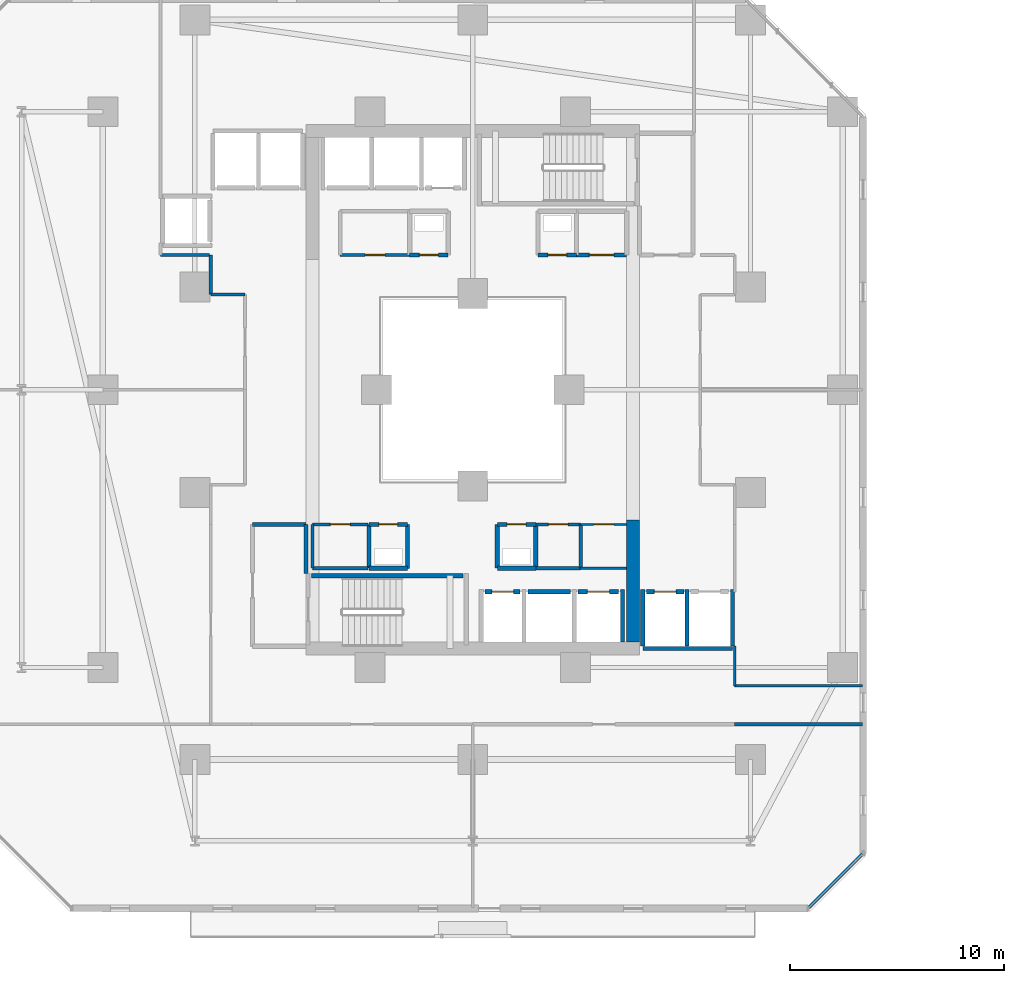
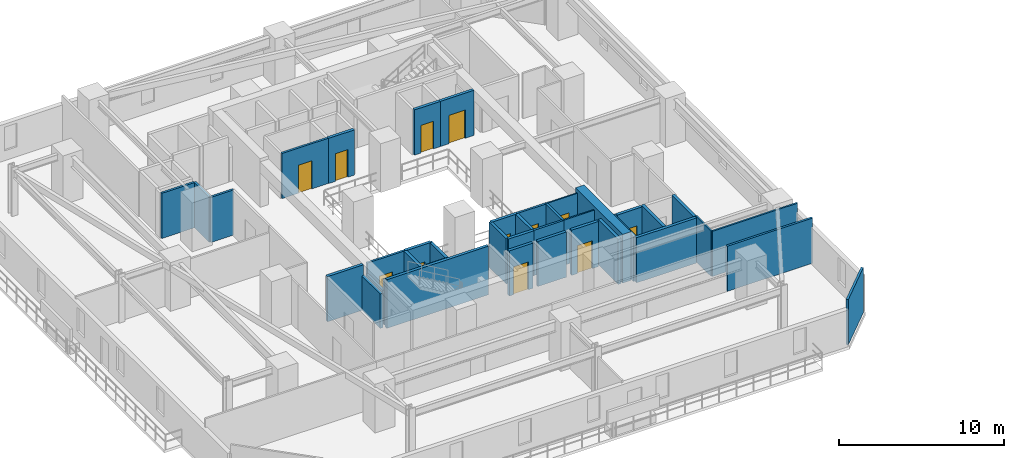
# One storey, part 19 of 33: 40 walls, 12 doors, 12 openings.
"""IFC4 building model written with IfcOpenShell, lengths in metres."""

from ifc_helpers import new_model, si_unit, direction, frame, frame_2d, origin, place, context, subcontext, project, spatial, rectangle, extrude, material, layer, layer_set, type_object, element, fill, save


model = new_model("IFC4")

# Units and contexts
model_context = context("Model", 3, precision=1e-05, world=origin(), true_north=direction((0.0, 1.0)))
body_context = subcontext(model_context, "Body", "Model", "MODEL_VIEW")
ifc_project = project(units=[si_unit("LENGTHUNIT", "METRE"), si_unit("AREAUNIT", "SQUARE_METRE"), si_unit("VOLUMEUNIT", "CUBIC_METRE"), si_unit("PLANEANGLEUNIT", "RADIAN"), si_unit("MASSUNIT", "GRAM", prefix="KILO")], contexts=[model_context])

# Site, building, storey
site_placement = place(None, origin())
site = spatial("IfcSite", under=ifc_project, at=site_placement, CompositionType="ELEMENT")
building_placement = place(site_placement, origin())
building = spatial("IfcBuilding", under=site, at=building_placement, Name="Thornwick Lancets Civic Towers", CompositionType="ELEMENT")
storey_placement = place(building_placement, frame((0.0, 0.0, 35.10009765625)))
storey = spatial("IfcBuildingStorey", under=building, at=storey_placement, Name="L08", CompositionType="ELEMENT", Elevation=35.10009765625)

# Wall, opening, door
ifc_material_1 = material(Name="Concrete blockwork C40/50", Category="masonry")
ifc_layer_1 = layer(ifc_material_1, 0.199951171875, Name="Concrete blockwork C40/50")
ifc_layer_set_1 = layer_set([ifc_layer_1], Name="Concrete blockwork C40/50")
wall_type_1 = type_object("IfcWallType", Name="WALL_COMP_200", PredefinedType="STANDARD", material=ifc_layer_set_1)
wall_1_placement = place(storey_placement, frame((26.080078125, 17.550048828125, 0.0), z_axis=(0.0, 0.0, 1.0), x_axis=(1.0, 0.0, 0.0)))
wall_1 = element("IfcWall", 1, at=wall_1_placement, inside=storey, type_object=wall_type_1, Name="L08 Hoistway Front Wall FL-A1", PredefinedType="STANDARD", context=body_context, shape_type="SweptSolid", body=[
    extrude(rectangle(XDim=1.639892578125, YDim=0.199951171875, at=frame_2d((0.81982421875, 0.0))), origin(), (0.0, 0.0, 1.0), 3.33984375),
])
opening_1_placement = place(wall_1_placement, frame((0.31005859375, 0.0, 0.0)))
opening_1 = element("IfcOpeningElement", 2, at=opening_1_placement, cuts=wall_1, Name="Opening LD-FL-A1", PredefinedType="OPENING", context=body_context, shape_type="SweptSolid", body=[
    extrude(rectangle(XDim=1.02001953125, YDim=2.06005859375, at=frame_2d((0.510009765625, 1.030029296875))), frame((0.0, 0.10986328125, 0.0), z_axis=(0.0, -1.0, 0.0), x_axis=(1.0, 0.0, 0.0)), (0.0, 0.0, 1.0), 0.219970703125),
])
ifc_material_2 = material(Name="Brushed bronze stainless steel", Category="steel")
door_type_1 = type_object("IfcDoorType", Name="DOOR_LIFT_SLIDE", OperationType="SLIDING_TO_LEFT", PredefinedType="DOOR", material=ifc_material_2)
door_1_placement = place(opening_1_placement, origin())
door_1 = element("IfcDoor", 3, at=door_1_placement, inside=storey, type_object=door_type_1, Name="L08 Sliding Lift Landing Door LD-FL-A1", OperationType="SLIDING_TO_LEFT", OverallHeight=2.06005859375, OverallWidth=1.02001953125, PredefinedType="DOOR", context=body_context, shape_type="SweptSolid", body=[
    extrude(rectangle(XDim=1.02001953125, YDim=2.06005859375, at=frame_2d((0.510009765625, 1.030029296875))), frame((0.0, 0.02490234375, 0.0), z_axis=(0.0, -1.0, 0.0), x_axis=(1.0, 0.0, 0.0)), (0.0, 0.0, 1.0), 0.050048828125),
])
fill(opening_1, door_1)

# Wall
wall_2_placement = place(storey_placement, frame((28.080078125, 17.550048828125, 0.0), z_axis=(0.0, 0.0, 1.0), x_axis=(1.0, 0.0, 0.0)))
element("IfcWall", 4, at=wall_2_placement, inside=storey, type_object=wall_type_1, Name="L08 Hoistway Front Wall PL-AH1", PredefinedType="STANDARD", context=body_context, shape_type="SweptSolid", body=[
    extrude(rectangle(XDim=1.989990234375, YDim=0.199951171875, at=frame_2d((0.9951171875, 0.0))), origin(), (0.0, 0.0, 1.0), 3.33984375),
])

# Wall, opening, door
wall_3_placement = place(storey_placement, frame((30.429931640625, 17.550048828125, 0.0), z_axis=(0.0, 0.0, 1.0), x_axis=(1.0, 0.0, 0.0)))
wall_3 = element("IfcWall", 5, at=wall_3_placement, inside=storey, type_object=wall_type_1, Name="L08 Hoistway Front Wall PL-AL1", PredefinedType="STANDARD", context=body_context, shape_type="SweptSolid", body=[
    extrude(rectangle(XDim=1.89013671875, YDim=0.199951171875, at=frame_2d((0.945068359375, 0.0))), origin(), (0.0, 0.0, 1.0), 3.33984375),
])
opening_2_placement = place(wall_3_placement, frame((0.43505859375, 0.0, 0.0)))
opening_2 = element("IfcOpeningElement", 6, at=opening_2_placement, cuts=wall_3, Name="Opening LD-PL-AL1", PredefinedType="OPENING", context=body_context, shape_type="SweptSolid", body=[
    extrude(rectangle(XDim=1.02001953125, YDim=2.06005859375, at=frame_2d((0.510009765625, 1.030029296875))), frame((0.0, 0.10986328125, 0.0), z_axis=(0.0, -1.0, 0.0), x_axis=(1.0, 0.0, 0.0)), (0.0, 0.0, 1.0), 0.219970703125),
])
door_2_placement = place(opening_2_placement, origin())
door_2 = element("IfcDoor", 7, at=door_2_placement, inside=storey, type_object=door_type_1, Name="L08 Sliding Lift Landing Door LD-PL-AL1", OperationType="SLIDING_TO_LEFT", OverallHeight=2.06005859375, OverallWidth=1.02001953125, PredefinedType="DOOR", context=body_context, shape_type="SweptSolid", body=[
    extrude(rectangle(XDim=1.02001953125, YDim=2.06005859375, at=frame_2d((0.510009765625, 1.030029296875))), frame((0.0, 0.02490234375, 0.0), z_axis=(0.0, -1.0, 0.0), x_axis=(1.0, 0.0, 0.0)), (0.0, 0.0, 1.0), 0.050048828125),
])
fill(opening_2, door_2)

wall_4_placement = place(storey_placement, frame((33.6298828125, 17.550048828125, 0.0), z_axis=(0.0, 0.0, 1.0), x_axis=(1.0, 0.0, 0.0)))
wall_4 = element("IfcWall", 8, at=wall_4_placement, inside=storey, type_object=wall_type_1, Name="L08 Hoistway Front Wall PL-AL2", PredefinedType="STANDARD", context=body_context, shape_type="SweptSolid", body=[
    extrude(rectangle(XDim=1.740234375, YDim=0.199951171875, at=frame_2d((0.8701171875, 0.0))), origin(), (0.0, 0.0, 1.0), 3.33984375),
])
opening_3_placement = place(wall_4_placement, frame((0.360107421875, 0.0, 0.0)))
opening_3 = element("IfcOpeningElement", 9, at=opening_3_placement, cuts=wall_4, Name="Opening LD-PL-AL2", PredefinedType="OPENING", context=body_context, shape_type="SweptSolid", body=[
    extrude(rectangle(XDim=1.02001953125, YDim=2.06005859375, at=frame_2d((0.510009765625, 1.030029296875))), frame((0.0, 0.10986328125, 0.0), z_axis=(0.0, -1.0, 0.0), x_axis=(1.0, 0.0, 0.0)), (0.0, 0.0, 1.0), 0.219970703125),
])
door_3_placement = place(opening_3_placement, origin())
door_3 = element("IfcDoor", 10, at=door_3_placement, inside=storey, type_object=door_type_1, Name="L08 Sliding Lift Landing Door LD-PL-AL2", OperationType="SLIDING_TO_LEFT", OverallHeight=2.06005859375, OverallWidth=1.02001953125, PredefinedType="DOOR", context=body_context, shape_type="SweptSolid", body=[
    extrude(rectangle(XDim=1.02001953125, YDim=2.06005859375, at=frame_2d((0.510009765625, 1.030029296875))), frame((0.0, 0.02490234375, 0.0), z_axis=(0.0, -1.0, 0.0), x_axis=(1.0, 0.0, 0.0)), (0.0, 0.0, 1.0), 0.050048828125),
])
fill(opening_3, door_3)

# Walls
wall_5_placement = place(storey_placement, frame((32.5, 15.2119140625, 0.0), z_axis=(0.0, 0.0, 1.0), x_axis=(0.0, 1.0, 0.0)))
element("IfcWall", 11, at=wall_5_placement, inside=storey, type_object=wall_type_1, Name="L08 Hoistway Shaft Wall PL-AL1 E", PredefinedType="STANDARD", context=body_context, shape_type="SweptSolid", body=[
    extrude(rectangle(XDim=2.43603515625, YDim=0.199951171875, at=frame_2d((1.218017578125, 0.0))), origin(), (0.0, 0.0, 1.0), 3.33984375),
])
wall_6_placement = place(storey_placement, frame((33.451904296875, 14.89990234375, 0.0), z_axis=(0.0, 0.0, 1.0), x_axis=(1.0, 0.0, 0.0)))
element("IfcWall", 12, at=wall_6_placement, inside=storey, type_object=wall_type_1, Name="L08 Hoistway Shaft Wall PL-AL2 S", PredefinedType="STANDARD", context=body_context, shape_type="SweptSolid", body=[
    extrude(rectangle(XDim=4.196044921875, YDim=0.199951171875, at=frame_2d((2.09814453125, 0.0))), origin(), (0.0, 0.0, 1.0), 3.33984375),
])
for number, where, z_axis, x_axis, name in (
    (13, (35.52490234375, 15.011962890625, 0.0), (0.0, 0.0, 1.0), (0.0, 1.0, 0.0), "L08 Hoistway Shaft Wall PL-AL2 E"),
    (14, (33.449951171875, 15.011962890625, 0.0), (0.0, 0.0, 1.0), (0.0, 1.0, 0.0), "L08 Hoistway Shaft Wall PL-AL2 W"),
    (15, (37.64990234375, 15.011962890625, 0.0), (0.0, 0.0, 1.0), (0.0, 1.0, 0.0), "L08 Hoistway Shaft Wall PL-AL3 E"),
):
    element("IfcWall", number, at=place(storey_placement, frame(where, z_axis=z_axis, x_axis=x_axis)), inside=storey, type_object=wall_type_1, Name=name, PredefinedType="STANDARD", context=body_context, shape_type="SweptSolid", body=[
        extrude(rectangle(XDim=2.635986328125, YDim=0.199951171875, at=frame_2d((1.31787109375, 0.0))), origin(), (0.0, 0.0, 1.0), 3.33984375),
    ])
wall_7_placement = place(storey_placement, frame((17.699951171875, 18.39990234375, 0.0), z_axis=(0.0, 0.0, 1.0), x_axis=(0.0, 1.0, 0.0)))
element("IfcWall", 16, at=wall_7_placement, inside=storey, type_object=wall_type_1, Name="L08 Partition L08-A-FFLOB1 E2", PredefinedType="STANDARD", context=body_context, shape_type="SweptSolid", body=[
    extrude(rectangle(XDim=2.300048828125, YDim=0.199951171875, at=frame_2d((1.14990234375, 0.0))), origin(), (0.0, 0.0, 1.0), 2.544921875),
])
wall_8_placement = place(storey_placement, frame((17.699951171875, 20.699951171875, 0.0), z_axis=(0.0, 0.0, 1.0), x_axis=(-1.0, 0.0, 0.0)))
element("IfcWall", 17, at=wall_8_placement, inside=storey, type_object=wall_type_1, Name="L08 Partition L08-A-FFLOB1 E3", PredefinedType="STANDARD", context=body_context, shape_type="SweptSolid", body=[
    extrude(rectangle(XDim=2.5, YDim=0.199951171875, at=frame_2d((1.25, 0.0))), origin(), (0.0, 0.0, 1.0), 3.33984375),
])
wall_9_placement = place(storey_placement, frame((26.64990234375, 18.64990234375, 0.0), z_axis=(0.0, 0.0, 1.0), x_axis=(1.0, 0.0, 0.0)))
element("IfcWall", 18, at=wall_9_placement, inside=storey, type_object=wall_type_1, Name="L08 Partition L08-A-DUCT1 E1", PredefinedType="STANDARD", context=body_context, shape_type="SweptSolid", body=[
    extrude(rectangle(XDim=1.800048828125, YDim=0.199951171875, at=frame_2d((0.89990234375, 0.0))), origin(), (0.0, 0.0, 1.0), 3.33984375),
])
wall_10_placement = place(storey_placement, frame((28.449951171875, 18.64990234375, 0.0), z_axis=(0.0, 0.0, 1.0), x_axis=(0.0, 1.0, 0.0)))
element("IfcWall", 19, at=wall_10_placement, inside=storey, type_object=wall_type_1, Name="L08 Partition L08-A-DUCT1 E2", PredefinedType="STANDARD", context=body_context, shape_type="SweptSolid", body=[
    extrude(rectangle(XDim=2.050048828125, YDim=0.199951171875, at=frame_2d((1.02490234375, 0.0))), origin(), (0.0, 0.0, 1.0), 3.33984375),
])

# Wall, opening, door
wall_11_placement = place(storey_placement, frame((28.449951171875, 20.699951171875, 0.0), z_axis=(0.0, 0.0, 1.0), x_axis=(-1.0, 0.0, 0.0)))
wall_11 = element("IfcWall", 20, at=wall_11_placement, inside=storey, type_object=wall_type_1, Name="L08 Partition L08-A-DUCT1 E3", PredefinedType="STANDARD", context=body_context, shape_type="SweptSolid", body=[
    extrude(rectangle(XDim=1.800048828125, YDim=0.199951171875, at=frame_2d((0.89990234375, 0.0))), origin(), (0.0, 0.0, 1.0), 3.33984375),
])
opening_4_placement = place(wall_11_placement, frame((0.4599609375, 0.0, 0.0)))
opening_4 = element("IfcOpeningElement", 21, at=opening_4_placement, cuts=wall_11, Name="Opening D-L08-0403", PredefinedType="OPENING", context=body_context, shape_type="SweptSolid", body=[
    extrude(rectangle(XDim=0.8798828125, YDim=2.0400390625, at=frame_2d((0.43994140625, 1.02001953125))), frame((0.0, 0.10986328125, 0.0), z_axis=(0.0, -1.0, 0.0), x_axis=(1.0, 0.0, 0.0)), (0.0, 0.0, 1.0), 0.219970703125),
])
ifc_material_3 = material(Name="Steel riser access doorset", Category="steel")
door_type_2 = type_object("IfcDoorType", Name="DOOR_RISER_850", OperationType="NOTDEFINED", PredefinedType="DOOR", material=ifc_material_3)
door_4_placement = place(opening_4_placement, origin())
door_4 = element("IfcDoor", 22, at=door_4_placement, inside=storey, type_object=door_type_2, Name="L08 South Service Duct 1 Door", OperationType="SINGLE_SWING_RIGHT", OverallHeight=2.0400390625, OverallWidth=0.8798828125, PredefinedType="DOOR", context=body_context, shape_type="SweptSolid", body=[
    extrude(rectangle(XDim=0.8798828125, YDim=2.0400390625, at=frame_2d((0.43994140625, 1.02001953125))), frame((0.0, 0.02490234375, 0.0), z_axis=(0.0, -1.0, 0.0), x_axis=(1.0, 0.0, 0.0)), (0.0, 0.0, 1.0), 0.050048828125),
])
fill(opening_4, door_4)

# Walls
wall_12_placement = place(storey_placement, frame((26.64990234375, 20.699951171875, 0.0), z_axis=(0.0, 0.0, 1.0), x_axis=(0.0, -1.0, 0.0)))
element("IfcWall", 23, at=wall_12_placement, inside=storey, type_object=wall_type_1, Name="L08 Partition L08-A-DUCT1 E4", PredefinedType="STANDARD", context=body_context, shape_type="SweptSolid", body=[
    extrude(rectangle(XDim=2.050048828125, YDim=0.199951171875, at=frame_2d((1.02490234375, 0.0))), origin(), (0.0, 0.0, 1.0), 3.33984375),
])
wall_13_placement = place(storey_placement, frame((20.64990234375, 18.64990234375, 0.0), z_axis=(0.0, 0.0, 1.0), x_axis=(1.0, 0.0, 0.0)))
element("IfcWall", 24, at=wall_13_placement, inside=storey, type_object=wall_type_1, Name="L08 Partition L08-A-RISER1 E1", PredefinedType="STANDARD", context=body_context, shape_type="SweptSolid", body=[
    extrude(rectangle(XDim=1.800048828125, YDim=0.199951171875, at=frame_2d((0.89990234375, 0.0))), origin(), (0.0, 0.0, 1.0), 3.33984375),
])
wall_14_placement = place(storey_placement, frame((22.449951171875, 18.64990234375, 0.0), z_axis=(0.0, 0.0, 1.0), x_axis=(0.0, 1.0, 0.0)))
element("IfcWall", 25, at=wall_14_placement, inside=storey, type_object=wall_type_1, Name="L08 Partition L08-A-RISER1 E2", PredefinedType="STANDARD", context=body_context, shape_type="SweptSolid", body=[
    extrude(rectangle(XDim=2.050048828125, YDim=0.199951171875, at=frame_2d((1.02490234375, 0.0))), origin(), (0.0, 0.0, 1.0), 3.33984375),
])

# Wall, opening, door
wall_15_placement = place(storey_placement, frame((22.449951171875, 20.699951171875, 0.0), z_axis=(0.0, 0.0, 1.0), x_axis=(-1.0, 0.0, 0.0)))
wall_15 = element("IfcWall", 26, at=wall_15_placement, inside=storey, type_object=wall_type_1, Name="L08 Partition L08-A-RISER1 E3", PredefinedType="STANDARD", context=body_context, shape_type="SweptSolid", body=[
    extrude(rectangle(XDim=1.800048828125, YDim=0.199951171875, at=frame_2d((0.89990234375, 0.0))), origin(), (0.0, 0.0, 1.0), 3.33984375),
])
opening_5_placement = place(wall_15_placement, frame((0.4599609375, 0.0, 0.0)))
opening_5 = element("IfcOpeningElement", 27, at=opening_5_placement, cuts=wall_15, Name="Opening D-L08-0404", PredefinedType="OPENING", context=body_context, shape_type="SweptSolid", body=[
    extrude(rectangle(XDim=0.8798828125, YDim=2.0400390625, at=frame_2d((0.43994140625, 1.02001953125))), frame((0.0, 0.10986328125, 0.0), z_axis=(0.0, -1.0, 0.0), x_axis=(1.0, 0.0, 0.0)), (0.0, 0.0, 1.0), 0.219970703125),
])
door_5_placement = place(opening_5_placement, origin())
door_5 = element("IfcDoor", 28, at=door_5_placement, inside=storey, type_object=door_type_2, Name="L08 South Electrical Riser 1 Door", OperationType="SINGLE_SWING_LEFT", OverallHeight=2.0400390625, OverallWidth=0.8798828125, PredefinedType="DOOR", context=body_context, shape_type="SweptSolid", body=[
    extrude(rectangle(XDim=0.8798828125, YDim=2.0400390625, at=frame_2d((0.43994140625, 1.02001953125))), frame((0.0, 0.02490234375, 0.0), z_axis=(0.0, -1.0, 0.0), x_axis=(1.0, 0.0, 0.0)), (0.0, 0.0, 1.0), 0.050048828125),
])
fill(opening_5, door_5)

# Wall
wall_16_placement = place(storey_placement, frame((20.64990234375, 20.699951171875, 0.0), z_axis=(0.0, 0.0, 1.0), x_axis=(0.0, -1.0, 0.0)))
element("IfcWall", 29, at=wall_16_placement, inside=storey, type_object=wall_type_1, Name="L08 Partition L08-A-RISER1 E4", PredefinedType="STANDARD", context=body_context, shape_type="SweptSolid", body=[
    extrude(rectangle(XDim=2.050048828125, YDim=0.199951171875, at=frame_2d((1.02490234375, 0.0))), origin(), (0.0, 0.0, 1.0), 3.33984375),
])

# Wall, opening, door
wall_17_placement = place(storey_placement, frame((22.550048828125, 33.300048828125, 0.0), z_axis=(0.0, 0.0, 1.0), x_axis=(1.0, 0.0, 0.0)))
wall_17 = element("IfcWall", 30, at=wall_17_placement, inside=storey, type_object=wall_type_1, Name="L08 Partition L08-A-DUCT2 E1", PredefinedType="STANDARD", context=body_context, shape_type="SweptSolid", body=[
    extrude(rectangle(XDim=1.800048828125, YDim=0.199951171875, at=frame_2d((0.89990234375, 0.0))), origin(), (0.0, 0.0, 1.0), 3.33984375),
])
opening_6_placement = place(wall_17_placement, frame((0.4599609375, 0.0, 0.0)))
opening_6 = element("IfcOpeningElement", 31, at=opening_6_placement, cuts=wall_17, Name="Opening D-L08-0405", PredefinedType="OPENING", context=body_context, shape_type="SweptSolid", body=[
    extrude(rectangle(XDim=0.8798828125, YDim=2.0400390625, at=frame_2d((0.43994140625, 1.02001953125))), frame((0.0, 0.10986328125, 0.0), z_axis=(0.0, -1.0, 0.0), x_axis=(1.0, 0.0, 0.0)), (0.0, 0.0, 1.0), 0.219970703125),
])
door_6_placement = place(opening_6_placement, origin())
door_6 = element("IfcDoor", 32, at=door_6_placement, inside=storey, type_object=door_type_2, Name="L08 North Service Duct 2 Door", OperationType="SINGLE_SWING_RIGHT", OverallHeight=2.0400390625, OverallWidth=0.8798828125, PredefinedType="DOOR", context=body_context, shape_type="SweptSolid", body=[
    extrude(rectangle(XDim=0.8798828125, YDim=2.0400390625, at=frame_2d((0.43994140625, 1.02001953125))), frame((0.0, 0.02490234375, 0.0), z_axis=(0.0, -1.0, 0.0), x_axis=(1.0, 0.0, 0.0)), (0.0, 0.0, 1.0), 0.050048828125),
])
fill(opening_6, door_6)

wall_18_placement = place(storey_placement, frame((28.550048828125, 33.300048828125, 0.0), z_axis=(0.0, 0.0, 1.0), x_axis=(1.0, 0.0, 0.0)))
wall_18 = element("IfcWall", 33, at=wall_18_placement, inside=storey, type_object=wall_type_1, Name="L08 Partition L08-A-RISER2 E1", PredefinedType="STANDARD", context=body_context, shape_type="SweptSolid", body=[
    extrude(rectangle(XDim=1.800048828125, YDim=0.199951171875, at=frame_2d((0.89990234375, 0.0))), origin(), (0.0, 0.0, 1.0), 3.33984375),
])
opening_7_placement = place(wall_18_placement, frame((0.4599609375, 0.0, 0.0)))
opening_7 = element("IfcOpeningElement", 34, at=opening_7_placement, cuts=wall_18, Name="Opening D-L08-0406", PredefinedType="OPENING", context=body_context, shape_type="SweptSolid", body=[
    extrude(rectangle(XDim=0.8798828125, YDim=2.0400390625, at=frame_2d((0.43994140625, 1.02001953125))), frame((0.0, 0.10986328125, 0.0), z_axis=(0.0, -1.0, 0.0), x_axis=(1.0, 0.0, 0.0)), (0.0, 0.0, 1.0), 0.219970703125),
])
door_7_placement = place(opening_7_placement, origin())
door_7 = element("IfcDoor", 35, at=door_7_placement, inside=storey, type_object=door_type_2, Name="L08 North Service Riser 2 Door", OperationType="SINGLE_SWING_LEFT", OverallHeight=2.0400390625, OverallWidth=0.8798828125, PredefinedType="DOOR", context=body_context, shape_type="SweptSolid", body=[
    extrude(rectangle(XDim=0.8798828125, YDim=2.0400390625, at=frame_2d((0.43994140625, 1.02001953125))), frame((0.0, 0.02490234375, 0.0), z_axis=(0.0, -1.0, 0.0), x_axis=(1.0, 0.0, 0.0)), (0.0, 0.0, 1.0), 0.050048828125),
])
fill(opening_7, door_7)

wall_19_placement = place(storey_placement, frame((32.699951171875, 33.300048828125, 0.0), z_axis=(0.0, 0.0, 1.0), x_axis=(-1.0, 0.0, 0.0)))
wall_19 = element("IfcWall", 36, at=wall_19_placement, inside=storey, type_object=wall_type_1, Name="L08 Partition L08-A-STR E2", PredefinedType="STANDARD", context=body_context, shape_type="SweptSolid", body=[
    extrude(rectangle(XDim=2.349853515625, YDim=0.199951171875, at=frame_2d((1.1748046875, 0.0))), origin(), (0.0, 0.0, 1.0), 3.33984375),
])
opening_8_placement = place(wall_19_placement, frame((0.60009765625, 0.0, 0.0)))
opening_8 = element("IfcOpeningElement", 37, at=opening_8_placement, cuts=wall_19, Name="Opening D-L08-0411", PredefinedType="OPENING", context=body_context, shape_type="SweptSolid", body=[
    extrude(rectangle(XDim=1.14990234375, YDim=2.10009765625, at=frame_2d((0.574951171875, 1.050048828125))), frame((0.0, 0.10986328125, 0.0), z_axis=(0.0, -1.0, 0.0), x_axis=(1.0, 0.0, 0.0)), (0.0, 0.0, 1.0), 0.219970703125),
])
ifc_material_4 = material(Name="Glazed fire-resisting steel", Category="steel")
door_type_3 = type_object("IfcDoorType", Name="DOOR_LOBBY_FD60", OperationType="NOTDEFINED", PredefinedType="DOOR", material=ifc_material_4)
door_8_placement = place(opening_8_placement, origin())
door_8 = element("IfcDoor", 38, at=door_8_placement, inside=storey, type_object=door_type_3, Name="L08 Tower A Core Equipment Store Door", OperationType="SINGLE_SWING_RIGHT", OverallHeight=2.10009765625, OverallWidth=1.14990234375, PredefinedType="DOOR", context=body_context, shape_type="SweptSolid", body=[
    extrude(rectangle(XDim=1.14990234375, YDim=2.10009765625, at=frame_2d((0.574951171875, 1.050048828125))), frame((0.0, 0.02490234375, 0.0), z_axis=(0.0, -1.0, 0.0), x_axis=(1.0, 0.0, 0.0)), (0.0, 0.0, 1.0), 0.050048828125),
])
fill(opening_8, door_8)

# Walls
ifc_material_5 = material(Name="Concrete C60/75", Category="concrete")
ifc_layer_2 = layer(ifc_material_5, 0.60009765625, Name="Concrete C60/75")
ifc_layer_set_2 = layer_set([ifc_layer_2], Name="Concrete C60/75")
wall_type_2 = type_object("IfcWallType", Name="WALL_CORE_600", PredefinedType="SHEAR", material=ifc_layer_set_2)
wall_20_placement = place(storey_placement, frame((33.0, 15.199951171875, 0.0), z_axis=(0.0, 0.0, 1.0), x_axis=(0.0, 1.0, 0.0)))
element("IfcWall", 39, at=wall_20_placement, inside=storey, type_object=wall_type_2, Name="L08 Split Core A1 Shear Wall E", PredefinedType="SHEAR", context=body_context, shape_type="SweptSolid", body=[
    extrude(rectangle(XDim=5.699951171875, YDim=0.60009765625, at=frame_2d((2.85009765625, 0.0))), origin(), (0.0, 0.0, 1.0), 3.599853515625),
])
ifc_material_6 = material(Name="Lightweight cellular office partition")
ifc_layer_3 = layer(ifc_material_6, 0.10009765625, Name="Lightweight cellular office partition")
ifc_layer_set_3 = layer_set([ifc_layer_3], Name="Lightweight cellular office partition")
wall_type_3 = type_object("IfcWallType", Name="WALL_PART_100", PredefinedType="PARTITIONING", material=ifc_layer_set_3)
wall_21_placement = place(storey_placement, frame((32.699951171875, 18.64990234375, 0.0), z_axis=(0.0, 0.0, 1.0), x_axis=(-1.0, 0.0, 0.0)))
element("IfcWall", 40, at=wall_21_placement, inside=storey, type_object=wall_type_3, Name="L08 Partition L08-A-CLN E2", PredefinedType="PARTITIONING", context=body_context, shape_type="SweptSolid", body=[
    extrude(rectangle(XDim=2.14990234375, YDim=0.10009765625, at=frame_2d((1.074951171875, 0.0))), origin(), (0.0, 0.0, 1.0), 3.33984375),
])

# Wall, opening, door
wall_22_placement = place(storey_placement, frame((30.550048828125, 20.699951171875, 0.0), z_axis=(0.0, 0.0, 1.0), x_axis=(1.0, 0.0, 0.0)))
wall_22 = element("IfcWall", 41, at=wall_22_placement, inside=storey, type_object=wall_type_3, Name="L08 Partition L08-A-CLN E4", PredefinedType="PARTITIONING", context=body_context, shape_type="SweptSolid", body=[
    extrude(rectangle(XDim=2.14990234375, YDim=0.10009765625, at=frame_2d((1.074951171875, 0.0))), origin(), (0.0, 0.0, 1.0), 3.33984375),
])
opening_9_placement = place(wall_22_placement, frame((0.60009765625, 0.0, 0.0)))
opening_9 = element("IfcOpeningElement", 42, at=opening_9_placement, cuts=wall_22, Name="Opening D-L08-0409", PredefinedType="OPENING", context=body_context, shape_type="SweptSolid", body=[
    extrude(rectangle(XDim=0.949951171875, YDim=2.10009765625, at=frame_2d((0.47509765625, 1.050048828125))), frame((0.0, 0.06005859375, 0.0), z_axis=(0.0, -1.0, 0.0), x_axis=(1.0, 0.0, 0.0)), (0.0, 0.0, 1.0), 0.1201171875),
])
ifc_material_7 = material(Name="European oak acoustic doorset")
door_type_4 = type_object("IfcDoorType", Name="DOOR_OFFICE_950", OperationType="NOTDEFINED", PredefinedType="DOOR", material=ifc_material_7)
door_9_placement = place(opening_9_placement, origin())
door_9 = element("IfcDoor", 43, at=door_9_placement, inside=storey, type_object=door_type_4, Name="L08 Tower A Cleaners Store Door", OperationType="SINGLE_SWING_RIGHT", OverallHeight=2.10009765625, OverallWidth=0.949951171875, PredefinedType="DOOR", context=body_context, shape_type="SweptSolid", body=[
    extrude(rectangle(XDim=0.949951171875, YDim=2.10009765625, at=frame_2d((0.47509765625, 1.050048828125))), frame((0.0, 0.02490234375, 0.0), z_axis=(0.0, -1.0, 0.0), x_axis=(1.0, 0.0, 0.0)), (0.0, 0.0, 1.0), 0.050048828125),
])
fill(opening_9, door_9)

# Walls
ifc_material_8 = material(Name="Acoustic gypsum board partition")
ifc_layer_4 = layer(ifc_material_8, 0.1201171875, Name="Acoustic gypsum board partition")
ifc_layer_set_4 = layer_set([ifc_layer_4], Name="Acoustic gypsum board partition")
wall_type_4 = type_object("IfcWallType", Name="WALL_PART_120", PredefinedType="PARTITIONING", material=ifc_layer_set_4)
wall_23_placement = place(storey_placement, frame((43.719970703125, 13.14990234375, 0.0), z_axis=(0.0, 0.0, 1.0), x_axis=(-1.0, 0.0, 0.0)))
element("IfcWall", 44, at=wall_23_placement, inside=storey, type_object=wall_type_4, Name="L08 Partition L08-A-E1 E7", PredefinedType="PARTITIONING", context=body_context, shape_type="SweptSolid", body=[
    extrude(rectangle(XDim=5.969970703125, YDim=0.1201171875, at=frame_2d((2.98486328125, 0.0))), origin(), (0.0, 0.0, 1.0), 3.33984375),
])
wall_24_placement = place(storey_placement, frame((37.75, 13.14990234375, 0.0), z_axis=(0.0, 0.0, 1.0), x_axis=(0.0, 1.0, 0.0)))
element("IfcWall", 45, at=wall_24_placement, inside=storey, type_object=wall_type_4, Name="L08 Partition L08-A-E1 E8", PredefinedType="PARTITIONING", context=body_context, shape_type="SweptSolid", body=[
    extrude(rectangle(XDim=1.862060546875, YDim=0.1201171875, at=frame_2d((0.93115234375, 0.0))), origin(), (0.0, 0.0, 1.0), 3.33984375),
])
ifc_material_9 = material(Name="Twin-stud acoustic gypsum board")
ifc_layer_5 = layer(ifc_material_9, 0.14990234375, Name="Twin-stud acoustic gypsum board")
ifc_layer_set_5 = layer_set([ifc_layer_5], Name="Twin-stud acoustic gypsum board")
wall_type_5 = type_object("IfcWallType", Name="WALL_PART_150", PredefinedType="PARTITIONING", material=ifc_layer_set_5)
wall_25_placement = place(storey_placement, frame((18.0, 18.64990234375, 0.0), z_axis=(0.0, 0.0, 1.0), x_axis=(1.0, 0.0, 0.0)))
element("IfcWall", 46, at=wall_25_placement, inside=storey, type_object=wall_type_5, Name="L08 Partition L08-A-AWC E1", PredefinedType="PARTITIONING", context=body_context, shape_type="SweptSolid", body=[
    extrude(rectangle(XDim=2.60009765625, YDim=0.14990234375, at=frame_2d((1.300048828125, 0.0))), origin(), (0.0, 0.0, 1.0), 3.33984375),
])

# Wall, opening, door
wall_26_placement = place(storey_placement, frame((20.60009765625, 20.699951171875, 0.0), z_axis=(0.0, 0.0, 1.0), x_axis=(-1.0, 0.0, 0.0)))
wall_26 = element("IfcWall", 47, at=wall_26_placement, inside=storey, type_object=wall_type_5, Name="L08 Partition L08-A-AWC E3", PredefinedType="PARTITIONING", context=body_context, shape_type="SweptSolid", body=[
    extrude(rectangle(XDim=2.60009765625, YDim=0.14990234375, at=frame_2d((1.300048828125, 0.0))), origin(), (0.0, 0.0, 1.0), 3.33984375),
])
opening_10_placement = place(wall_26_placement, frame((0.840087890625, 0.0, 0.0)))
opening_10 = element("IfcOpeningElement", 48, at=opening_10_placement, cuts=wall_26, Name="Opening D-L08-0407", PredefinedType="OPENING", context=body_context, shape_type="SweptSolid", body=[
    extrude(rectangle(XDim=0.919921875, YDim=2.080078125, at=frame_2d((0.4599609375, 1.0400390625))), frame((0.0, 0.0849609375, 0.0), z_axis=(0.0, -1.0, 0.0), x_axis=(1.0, 0.0, 0.0)), (0.0, 0.0, 1.0), 0.169921875),
])
ifc_material_10 = material(Name="Moisture-resistant oak doorset")
door_type_5 = type_object("IfcDoorType", Name="DOOR_WC_900", OperationType="NOTDEFINED", PredefinedType="DOOR", material=ifc_material_10)
door_10_placement = place(opening_10_placement, origin())
door_10 = element("IfcDoor", 49, at=door_10_placement, inside=storey, type_object=door_type_5, Name="L08 Tower A Accessible WC Door", OperationType="SINGLE_SWING_RIGHT", OverallHeight=2.080078125, OverallWidth=0.919921875, PredefinedType="DOOR", context=body_context, shape_type="SweptSolid", body=[
    extrude(rectangle(XDim=0.919921875, YDim=2.080078125, at=frame_2d((0.4599609375, 1.0400390625))), frame((0.0, 0.02490234375, 0.0), z_axis=(0.0, -1.0, 0.0), x_axis=(1.0, 0.0, 0.0)), (0.0, 0.0, 1.0), 0.050048828125),
])
fill(opening_10, door_10)

# Walls
wall_27_placement = place(storey_placement, frame((18.0, 20.699951171875, 0.0), z_axis=(0.0, 0.0, 1.0), x_axis=(0.0, -1.0, 0.0)))
element("IfcWall", 50, at=wall_27_placement, inside=storey, type_object=wall_type_5, Name="L08 Partition L08-A-AWC E4", PredefinedType="PARTITIONING", context=body_context, shape_type="SweptSolid", body=[
    extrude(rectangle(XDim=2.050048828125, YDim=0.14990234375, at=frame_2d((1.02490234375, 0.0))), origin(), (0.0, 0.0, 1.0), 2.544921875),
])
wall_28_placement = place(storey_placement, frame((30.550048828125, 20.699951171875, 0.0), z_axis=(0.0, 0.0, 1.0), x_axis=(0.0, -1.0, 0.0)))
element("IfcWall", 51, at=wall_28_placement, inside=storey, type_object=wall_type_5, Name="L08 Partition L08-A-MWC E1", PredefinedType="PARTITIONING", context=body_context, shape_type="SweptSolid", body=[
    extrude(rectangle(XDim=2.050048828125, YDim=0.14990234375, at=frame_2d((1.02490234375, 0.0))), origin(), (0.0, 0.0, 1.0), 3.33984375),
])
wall_29_placement = place(storey_placement, frame((30.550048828125, 18.64990234375, 0.0), z_axis=(0.0, 0.0, 1.0), x_axis=(-1.0, 0.0, 0.0)))
element("IfcWall", 52, at=wall_29_placement, inside=storey, type_object=wall_type_5, Name="L08 Partition L08-A-MWC E2", PredefinedType="PARTITIONING", context=body_context, shape_type="SweptSolid", body=[
    extrude(rectangle(XDim=2.10009765625, YDim=0.14990234375, at=frame_2d((1.050048828125, 0.0))), origin(), (0.0, 0.0, 1.0), 3.33984375),
])

# Wall, opening, door
wall_30_placement = place(storey_placement, frame((28.449951171875, 20.699951171875, 0.0), z_axis=(0.0, 0.0, 1.0), x_axis=(1.0, 0.0, 0.0)))
wall_30 = element("IfcWall", 53, at=wall_30_placement, inside=storey, type_object=wall_type_5, Name="L08 Partition L08-A-MWC E4", PredefinedType="PARTITIONING", context=body_context, shape_type="SweptSolid", body=[
    extrude(rectangle(XDim=2.10009765625, YDim=0.14990234375, at=frame_2d((1.050048828125, 0.0))), origin(), (0.0, 0.0, 1.0), 3.33984375),
])
opening_11_placement = place(wall_30_placement, frame((0.590087890625, 0.0, 0.0)))
opening_11 = element("IfcOpeningElement", 54, at=opening_11_placement, cuts=wall_30, Name="Opening D-L08-0408", PredefinedType="OPENING", context=body_context, shape_type="SweptSolid", body=[
    extrude(rectangle(XDim=0.919921875, YDim=2.080078125, at=frame_2d((0.4599609375, 1.0400390625))), frame((0.0, 0.0849609375, 0.0), z_axis=(0.0, -1.0, 0.0), x_axis=(1.0, 0.0, 0.0)), (0.0, 0.0, 1.0), 0.169921875),
])
door_11_placement = place(opening_11_placement, origin())
door_11 = element("IfcDoor", 55, at=door_11_placement, inside=storey, type_object=door_type_5, Name="L08 Tower A Male WC Door", OperationType="SINGLE_SWING_LEFT", OverallHeight=2.080078125, OverallWidth=0.919921875, PredefinedType="DOOR", context=body_context, shape_type="SweptSolid", body=[
    extrude(rectangle(XDim=0.919921875, YDim=2.080078125, at=frame_2d((0.4599609375, 1.0400390625))), frame((0.0, 0.02490234375, 0.0), z_axis=(0.0, -1.0, 0.0), x_axis=(1.0, 0.0, 0.0)), (0.0, 0.0, 1.0), 0.050048828125),
])
fill(opening_11, door_11)

wall_31_placement = place(storey_placement, frame((22.550048828125, 33.300048828125, 0.0), z_axis=(0.0, 0.0, 1.0), x_axis=(-1.0, 0.0, 0.0)))
wall_31 = element("IfcWall", 56, at=wall_31_placement, inside=storey, type_object=wall_type_5, Name="L08 Partition L08-A-FWC E4", PredefinedType="PARTITIONING", context=body_context, shape_type="SweptSolid", body=[
    extrude(rectangle(XDim=3.25, YDim=0.14990234375, at=frame_2d((1.625, 0.0))), origin(), (0.0, 0.0, 1.0), 3.33984375),
])
opening_12_placement = place(wall_31_placement, frame((1.1650390625, 0.0, 0.0)))
opening_12 = element("IfcOpeningElement", 57, at=opening_12_placement, cuts=wall_31, Name="Opening D-L08-0410", PredefinedType="OPENING", context=body_context, shape_type="SweptSolid", body=[
    extrude(rectangle(XDim=0.919921875, YDim=2.080078125, at=frame_2d((0.4599609375, 1.0400390625))), frame((0.0, 0.0849609375, 0.0), z_axis=(0.0, -1.0, 0.0), x_axis=(1.0, 0.0, 0.0)), (0.0, 0.0, 1.0), 0.169921875),
])
door_12_placement = place(opening_12_placement, origin())
door_12 = element("IfcDoor", 58, at=door_12_placement, inside=storey, type_object=door_type_5, Name="L08 Tower A Female WC Door", OperationType="SINGLE_SWING_LEFT", OverallHeight=2.080078125, OverallWidth=0.919921875, PredefinedType="DOOR", context=body_context, shape_type="SweptSolid", body=[
    extrude(rectangle(XDim=0.919921875, YDim=2.080078125, at=frame_2d((0.4599609375, 1.0400390625))), frame((0.0, 0.02490234375, 0.0), z_axis=(0.0, -1.0, 0.0), x_axis=(1.0, 0.0, 0.0)), (0.0, 0.0, 1.0), 0.050048828125),
])
fill(opening_12, door_12)

# Walls
wall_32_placement = place(storey_placement, frame((13.25, 33.300048828125, 0.0), z_axis=(0.0, 0.0, 1.0), x_axis=(0.0, -1.0, 0.0)))
element("IfcWall", 59, at=wall_32_placement, inside=storey, type_object=wall_type_5, Name="L08 Partition L08-A-W2 E2", PredefinedType="PARTITIONING", context=body_context, shape_type="SweptSolid", body=[
    extrude(rectangle(XDim=1.85009765625, YDim=0.14990234375, at=frame_2d((0.925048828125, 0.0))), origin(), (0.0, 0.0, 1.0), 3.33984375),
])
wall_33_placement = place(storey_placement, frame((13.25, 31.449951171875, 0.0), z_axis=(0.0, 0.0, 1.0), x_axis=(1.0, 0.0, 0.0)))
element("IfcWall", 60, at=wall_33_placement, inside=storey, type_object=wall_type_5, Name="L08 Partition L08-A-W2 E3", PredefinedType="PARTITIONING", context=body_context, shape_type="SweptSolid", body=[
    extrude(rectangle(XDim=1.60009765625, YDim=0.14990234375, at=frame_2d((0.800048828125, 0.0))), origin(), (0.0, 0.0, 1.0), 3.33984375),
])
wall_34_placement = place(storey_placement, frame((10.89990234375, 33.300048828125, 0.0), z_axis=(0.0, 0.0, 1.0), x_axis=(1.0, 0.0, 0.0)))
element("IfcWall", 61, at=wall_34_placement, inside=storey, type_object=wall_type_5, Name="L08 Partition L08-A-W2 E10", PredefinedType="PARTITIONING", context=body_context, shape_type="SweptSolid", body=[
    extrude(rectangle(XDim=2.300048828125, YDim=0.14990234375, at=frame_2d((1.14990234375, 0.0))), origin(), (0.0, 0.0, 1.0), 3.33984375),
])
wall_35_placement = place(storey_placement, frame((37.75, 11.35009765625, 0.0), z_axis=(0.0, 0.0, 1.0), x_axis=(1.0, 0.0, 0.0)))
element("IfcWall", 62, at=wall_35_placement, inside=storey, type_object=wall_type_5, Name="L08 Partition L08-A-S-ARCH E4", PredefinedType="PARTITIONING", context=body_context, shape_type="SweptSolid", body=[
    extrude(rectangle(XDim=5.969970703125, YDim=0.14990234375, at=frame_2d((2.98486328125, 0.0))), origin(), (0.0, 0.0, 1.0), 3.33984375),
])
wall_36_placement = place(storey_placement, frame((43.719970703125, 5.274658203125, 0.0), z_axis=(0.0, 0.0, 1.0), x_axis=(-0.707106781187, -0.707106781187, 0.0)))
element("IfcWall", 63, at=wall_36_placement, inside=storey, type_object=wall_type_5, Name="L08 Partition L08-A-S-ARCH E6", PredefinedType="PARTITIONING", context=body_context, shape_type="SweptSolid", body=[
    extrude(rectangle(XDim=3.52783203125, YDim=0.14990234375, at=frame_2d((1.763916015625, 0.0))), origin(), (0.0, 0.0, 1.0), 3.33984375),
])
ifc_material_11 = material(Name="Concrete C40/50", Category="concrete")
ifc_layer_6 = layer(ifc_material_11, 0.199951171875, Name="Concrete C40/50")
ifc_layer_set_6 = layer_set([ifc_layer_6], Name="Concrete C40/50")
wall_type_6 = type_object("IfcWallType", Name="WALL_SHAFT_200", PredefinedType="SHEAR", material=ifc_layer_set_6)
wall_37_placement = place(storey_placement, frame((25.050048828125, 18.297119140625, 0.0), z_axis=(0.0, 0.0, 1.0), x_axis=(-1.0, 0.0, 0.0)))
element("IfcWall", 64, at=wall_37_placement, inside=storey, type_object=wall_type_6, Name="L08 ST-A1 Fire Stair Core Wall RIGHT", PredefinedType="SHEAR", context=body_context, shape_type="SweptSolid", body=[
    extrude(rectangle(XDim=7.10009765625, YDim=0.199951171875, at=frame_2d((3.550048828125, 0.0))), origin(), (0.0, 0.0, 1.0), 3.599853515625),
])

save(model, "model.ifc")
